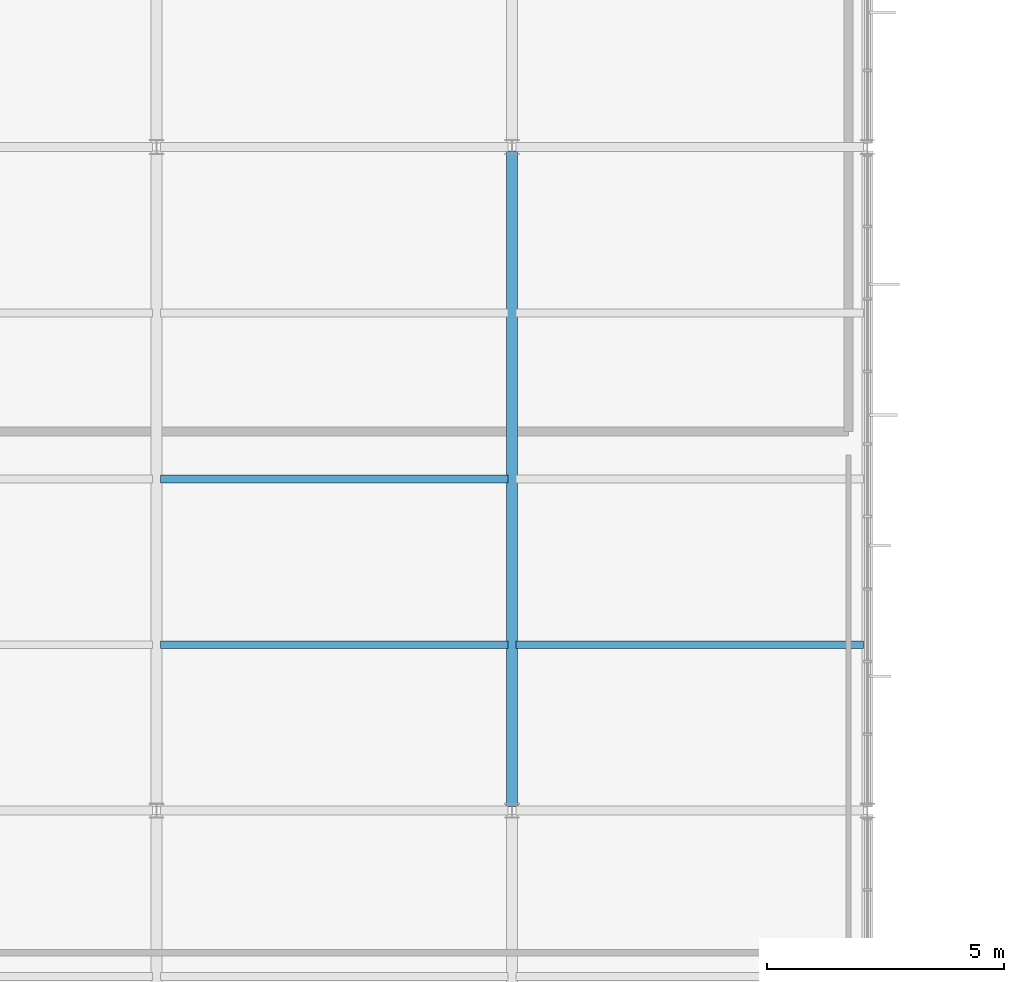
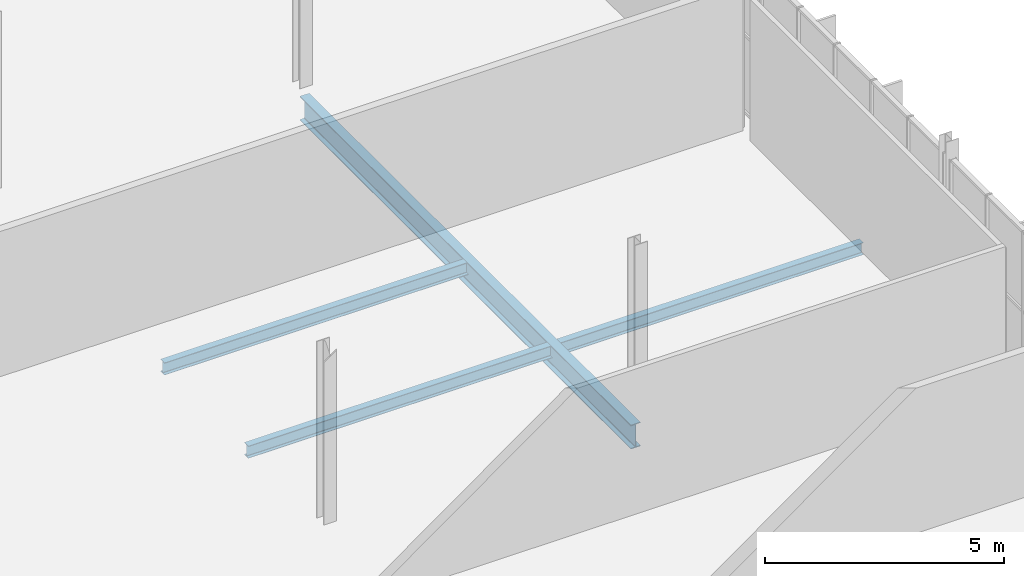
# One storey, part 47 of 324: 4 beams.
"""IFC4 building model written with IfcOpenShell, lengths in metres."""

from ifc_helpers import new_model, si_unit, direction, frame, origin, origin_2d, place, context, subcontext, project, spatial, i_section, extrude, material, material_profile, profile_set, type_object, element, save


model = new_model("IFC4")

# Units and contexts
model_context = context("Model", 3, precision=1e-05, world=origin(), true_north=direction((0.0, 1.0)))
body_context = subcontext(model_context, "Body", "Model", "MODEL_VIEW")
ifc_project = project(units=[si_unit("LENGTHUNIT", "METRE"), si_unit("AREAUNIT", "SQUARE_METRE"), si_unit("VOLUMEUNIT", "CUBIC_METRE"), si_unit("PLANEANGLEUNIT", "RADIAN"), si_unit("MASSUNIT", "GRAM", prefix="KILO")], contexts=[model_context])

# Site, building, storey
site_placement = place(None, origin())
site = spatial("IfcSite", under=ifc_project, at=site_placement, CompositionType="ELEMENT")
building_placement = place(site_placement, origin())
building = spatial("IfcBuilding", under=site, at=building_placement, Name="Solvenia Promenade Tram Depot", CompositionType="ELEMENT")
storey_placement = place(building_placement, frame((0.0, 0.0, 4.5)))
storey = spatial("IfcBuildingStorey", under=building, at=storey_placement, Name="L01", CompositionType="ELEMENT", Elevation=4.5)

# Beams
ifc_material = material(Name="Structural steel ASTM A992 Gr. 50", Category="steel")
ifc_material_profile_1 = material_profile(ifc_material, i_section(OverallWidth=0.22900390625, OverallDepth=0.612060546875, WebThickness=0.011962890625, FlangeThickness=0.01953125, FilletRadius=0.014892578125, at=origin_2d()), Name="W610x125", Category="steel")
ifc_profile_set_1 = profile_set([ifc_material_profile_1], Name="Structural steel ASTM A992 Gr. 50")
beam_type_1 = type_object("IfcBeamType", Name="Gird-W610x125", PredefinedType="BEAM", material=ifc_profile_set_1)
beam_placement = place(storey_placement, frame((37.5, 38.0849609375, -0.5458984375), z_axis=(0.0, 1.0, 0.0), x_axis=(-1.0, 0.0, 0.0)))
element("IfcBeam", 1, at=beam_placement, inside=storey, type_object=beam_type_1, Name="Transverse Girder BM-L01-0245", PredefinedType="BEAM", context=body_context, shape_type="SweptSolid", body=[
    extrude(i_section(OverallWidth=0.22900390625, OverallDepth=0.612060546875, WebThickness=0.011962890625, FlangeThickness=0.01953125, FilletRadius=0.014892578125, at=origin_2d()), origin(), (0.0, 0.0, 1.0), 13.830078125),
])
ifc_material_profile_2 = material_profile(ifc_material, i_section(OverallWidth=0.166015625, OverallDepth=0.31298828125, WebThickness=0.006591796875, FlangeThickness=0.01123046875, FilletRadius=0.010009765625, at=origin_2d()), Name="W310x45", Category="steel")
ifc_profile_set_2 = profile_set([ifc_material_profile_2], Name="Structural steel ASTM A992 Gr. 50")
beam_type_2 = type_object("IfcBeamType", Name="Joist-W310x45", PredefinedType="JOIST", material=ifc_profile_set_2)
for number, where, z_axis, x_axis, name in (
    (2, (30.0849609375, 41.5, -0.396484375), (1.0, 0.0, 0.0), (0.0, 1.0, 0.0), "Secondary Floor Joist BM-L01-0287"),
    (3, (30.0849609375, 45.0, -0.396484375), (1.0, 0.0, 0.0), (0.0, 1.0, 0.0), "Secondary Floor Joist BM-L01-0288"),
    (4, (37.5849609375, 41.5, -0.396484375), (1.0, 0.0, 0.0), (0.0, 1.0, 0.0), "Secondary Floor Joist BM-L01-0296"),
):
    element("IfcBeam", number, at=place(storey_placement, frame(where, z_axis=z_axis, x_axis=x_axis)), inside=storey, type_object=beam_type_2, Name=name, PredefinedType="JOIST", context=body_context, shape_type="SweptSolid", body=[
        extrude(i_section(OverallWidth=0.166015625, OverallDepth=0.31298828125, WebThickness=0.006591796875, FlangeThickness=0.01123046875, FilletRadius=0.010009765625, at=origin_2d()), origin(), (0.0, 0.0, 1.0), 7.330078125),
    ])

save(model, "model.ifc")
